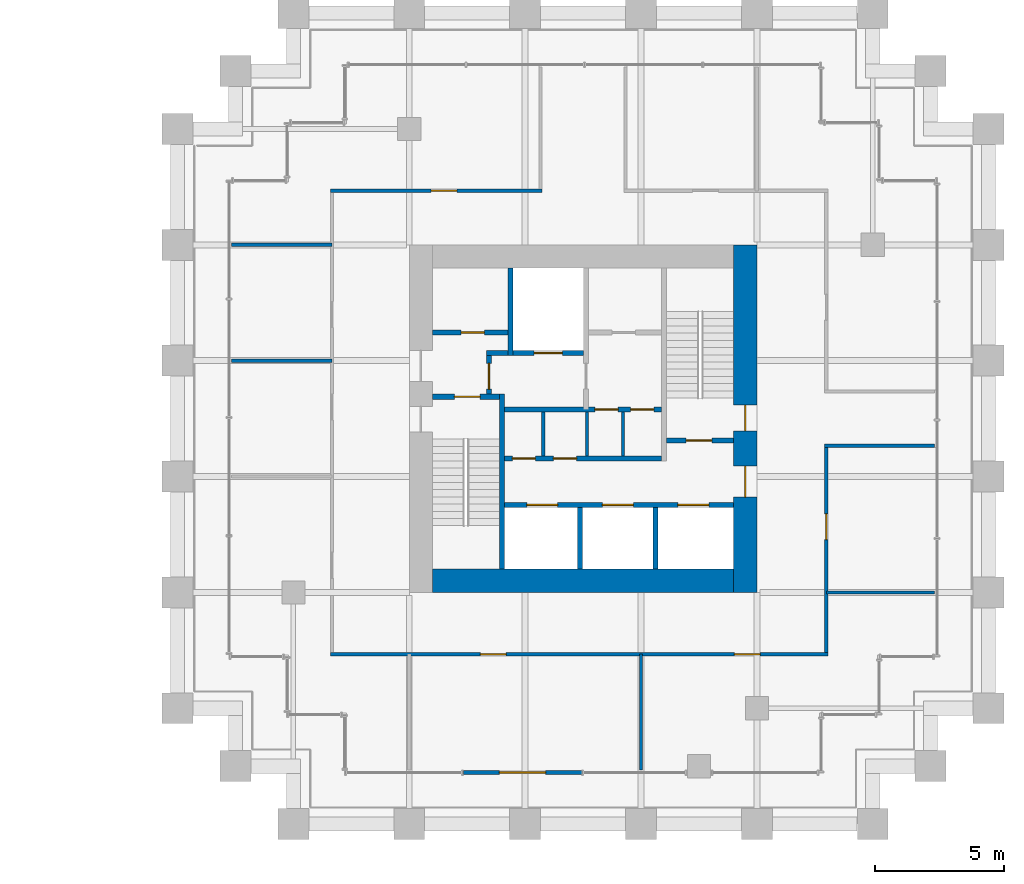
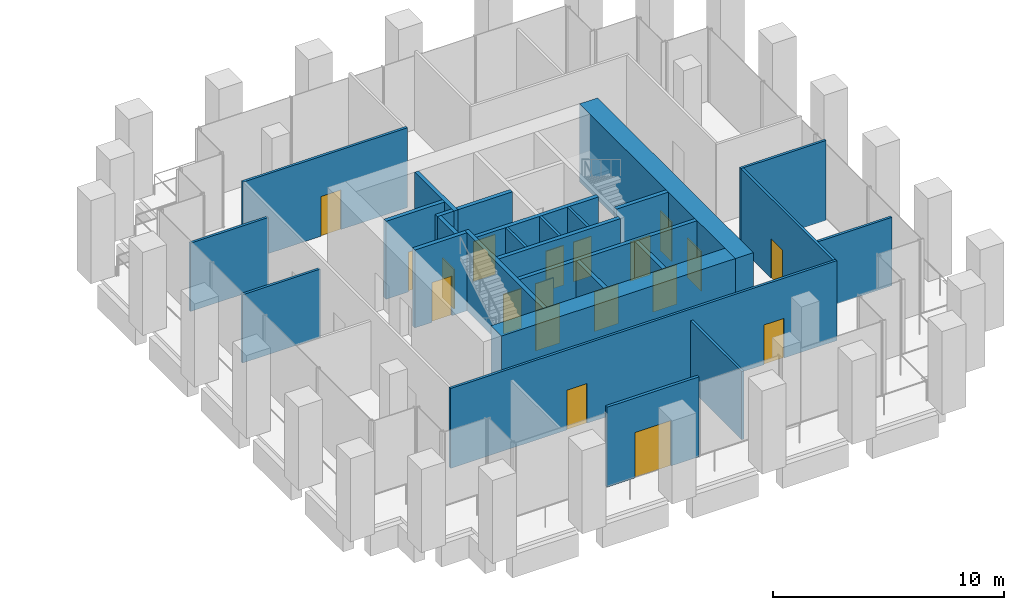
# One storey, part 32 of 36: 27 walls, 19 doors, 19 openings.
"""IFC4 building model written with IfcOpenShell, lengths in metres."""

import ifcopenshell
import ifcopenshell.guid

model = None  # the IFC model being written
_history = None  # IfcOwnerHistory: only IFC2X3 demands one
_inside = {}  # id of a spatial element -> (the spatial element, [elements in it])
_under = {}  # id of a project, library or spatial element -> (it, [spatial elements below it])
_declared = {}  # id of a project -> (the project, [libraries it declares])
_typed = {}  # id of a type object -> (the type object, [elements of that type])
_made_of = {}  # id of a material, layer set ... -> (it, [elements and type objects made of it])


def new_model(schema):
    """Start an empty IFC model of exactly this schema.

    Asked for "IFC4X3", IfcOpenShell would pick the latest addendum, in which some entities
    have other attributes; the version numbers below select the first issue.
    IFC2X3 requires an IfcOwnerHistory on every rooted entity: one is made here for all.
    """
    global model, _history
    if schema == "IFC4X3":
        model = ifcopenshell.file(schema_version=(4, 3, 0, 0))
    else:
        model = ifcopenshell.file(schema=schema)
    _inside.clear()
    _under.clear()
    _declared.clear()
    _typed.clear()
    _made_of.clear()
    _history = None
    if model.schema == "IFC2X3":
        org = make("IfcOrganization", Name="unknown")
        user = make(
            "IfcPersonAndOrganization",
            ThePerson=make("IfcPerson", FamilyName="unknown"),
            TheOrganization=org,
        )
        app = make(
            "IfcApplication",
            ApplicationDeveloper=org,
            Version="unknown",
            ApplicationFullName="unknown",
            ApplicationIdentifier="unknown",
        )
        _history = make(
            "IfcOwnerHistory",
            OwningUser=user,
            OwningApplication=app,
            ChangeAction="ADDED",
            CreationDate=0,
        )
    return model


def make(cls, **values):
    """One entity of the class cls with the attributes given. An attribute that is None is left unset."""
    return model.create_entity(
        cls, **{name: value for name, value in values.items() if value is not None}
    )


def rooted(cls, **values):
    """An entity with a GlobalId (a new one), such as an element, a storey or a relation."""
    return make(cls, GlobalId=ifcopenshell.guid.new(), OwnerHistory=_history, **values)


def si_unit(unit_type, name, prefix=None):
    """IfcSIUnit, for example si_unit("LENGTHUNIT", "METRE", prefix="MILLI")."""
    return make("IfcSIUnit", UnitType=unit_type, Prefix=prefix, Name=name)


def assignment(units):
    """IfcUnitAssignment: the units of a project."""
    return None if units is None else make("IfcUnitAssignment", Units=units)


def point(xyz):
    """IfcCartesianPoint."""
    return None if xyz is None else make("IfcCartesianPoint", Coordinates=xyz)


def direction(xyz):
    """IfcDirection."""
    return None if xyz is None else make("IfcDirection", DirectionRatios=xyz)


def frame(location, z_axis=None, x_axis=None):
    """IfcAxis2Placement3D, a coordinate frame: its origin and axes. An axis left out is left unset."""
    return make(
        "IfcAxis2Placement3D",
        Location=point(location),
        Axis=direction(z_axis),
        RefDirection=direction(x_axis),
    )


def frame_2d(location, x_axis=None):
    """IfcAxis2Placement2D, a coordinate frame in the plane: its origin and x axis."""
    return make(
        "IfcAxis2Placement2D", Location=point(location), RefDirection=direction(x_axis)
    )


def origin():
    """The frame at (0, 0, 0) with its axes left unset."""
    return frame((0.0, 0.0, 0.0))


def place(relative_to, where):
    """IfcLocalPlacement: puts the frame where relative to a parent placement (None: the world)."""
    return make(
        "IfcLocalPlacement", PlacementRelTo=relative_to, RelativePlacement=where
    )


def context(
    kind, dimensions, precision=None, world=None, true_north=None, identifier=None
):
    """IfcGeometricRepresentationContext, for example the 3D "Model" context."""
    return make(
        "IfcGeometricRepresentationContext",
        ContextIdentifier=identifier,
        ContextType=kind,
        CoordinateSpaceDimension=dimensions,
        Precision=precision,
        WorldCoordinateSystem=world,
        TrueNorth=true_north,
    )


def subcontext(parent, identifier, kind, view, scale=None):
    """IfcGeometricRepresentationSubContext, for example "Body" below "Model"."""
    return make(
        "IfcGeometricRepresentationSubContext",
        ContextIdentifier=identifier,
        ContextType=kind,
        ParentContext=parent,
        TargetScale=scale,
        TargetView=view,
    )


def project(units=None, contexts=None):
    """IfcProject with its units and contexts."""
    return rooted(
        "IfcProject",
        Name="project",
        RepresentationContexts=contexts,
        UnitsInContext=assignment(units),
    )


def spatial(cls, under=None, at=None, **own):
    """A site, building, storey or space (cls), placed at a placement, below another one or the project."""
    s = rooted(cls, ObjectPlacement=at, **own)
    if under is not None:
        _under.setdefault(under.id(), (under, []))[1].append(s)
    return s


def profile(cls, at=None, kind="AREA", **sizes):
    """A parametric profile (cls). Its sizes go by their IFC names, for example OverallWidth=200.0."""
    return make(cls, ProfileType=kind, Position=at, **sizes)


def rectangle(**sizes):
    """IfcRectangleProfileDef."""
    return profile("IfcRectangleProfileDef", **sizes)


def extrude(swept, where, along, depth):
    """IfcExtrudedAreaSolid: the profile swept, set in the frame where, extruded along a direction by depth."""
    return make(
        "IfcExtrudedAreaSolid",
        SweptArea=swept,
        Position=where,
        ExtrudedDirection=direction(along),
        Depth=depth,
    )


def shape(context_of_items, identifier, shape_type, items):
    """IfcShapeRepresentation: the items that make up one representation, for example the "Body"."""
    return make(
        "IfcShapeRepresentation",
        ContextOfItems=context_of_items,
        RepresentationIdentifier=identifier,
        RepresentationType=shape_type,
        Items=items,
    )


def material(Name=None, Category=None):
    """IfcMaterial."""
    return make("IfcMaterial", Name=Name, Category=Category)


def layer(
    of_material, thickness, ventilated=None, Name=None, Category=None, Priority=None
):
    """IfcMaterialLayer: one layer of a wall or slab, of a material (None: an air gap)."""
    return make(
        "IfcMaterialLayer",
        Material=of_material,
        LayerThickness=thickness,
        IsVentilated=ventilated,
        Name=Name,
        Category=Category,
        Priority=Priority,
    )


def layer_set(layers, Name=None):
    """IfcMaterialLayerSet."""
    return make("IfcMaterialLayerSet", MaterialLayers=layers, LayerSetName=Name)


def made_of(thing, what):
    """Note that an element or type object is made of a material, layer set ...; save() writes the relation."""
    if what is not None:
        _made_of.setdefault(what.id(), (what, []))[1].append(thing)
    return thing


def type_object(cls, material=None, **own):
    """A type object (cls), such as IfcWallType, which elements share."""
    return made_of(rooted(cls, **own), material)


def element(
    cls,
    number,
    at=None,
    inside=None,
    cuts=None,
    type_object=None,
    material=None,
    context=None,
    identifier="Body",
    shape_type=None,
    held_by="IfcProductDefinitionShape",
    body=None,
    shapes=None,
    **own,
):
    """One element of the class cls, such as IfcWall. Its Tag is "e" and its number.

    at: its placement. inside: the storey or other place that contains it. cuts: it is an
    opening in that element (IfcRelVoidsElement). A single representation is given by context,
    identifier, shape_type and body (its items); several are given by shapes. held_by: the class
    of the entity that holds the representations. save() writes the other relations.
    """
    e = rooted(cls, Tag="e%d" % number, ObjectPlacement=at, **own)
    if body is not None:
        shapes = [shape(context, identifier, shape_type, body)]
    if shapes is not None:
        e.Representation = make(held_by, Representations=shapes)
    if inside is not None:
        _inside.setdefault(inside.id(), (inside, []))[1].append(e)
    if cuts is not None:
        rooted(
            "IfcRelVoidsElement", RelatingBuildingElement=cuts, RelatedOpeningElement=e
        )
    if type_object is not None:
        _typed.setdefault(type_object.id(), (type_object, []))[1].append(e)
    return made_of(e, material)


def fill(opening, filler):
    """IfcRelFillsElement: the door or window that sits in an opening."""
    return rooted(
        "IfcRelFillsElement",
        RelatingOpeningElement=opening,
        RelatedBuildingElement=filler,
    )


def aggregate(whole, parts):
    """IfcRelAggregates: a whole, such as a stair, and the parts it consists of."""
    return rooted("IfcRelAggregates", RelatingObject=whole, RelatedObjects=parts)


def save(model, path):
    """Write the relations noted so far, then the file.

    IfcRelAggregates (storeys below a building ...), IfcRelContainedInSpatialStructure (elements
    in a storey), IfcRelDefinesByType, IfcRelAssociatesMaterial and IfcRelDeclares: one each for
    every whole, place, type object, material and project.
    """
    for whole, parts in _under.values():
        aggregate(whole, parts)
    for where, things in _inside.values():
        rooted(
            "IfcRelContainedInSpatialStructure",
            RelatedElements=things,
            RelatingStructure=where,
        )
    for kind, things in _typed.values():
        rooted("IfcRelDefinesByType", RelatedObjects=things, RelatingType=kind)
    for what, things in _made_of.values():
        rooted("IfcRelAssociatesMaterial", RelatedObjects=things, RelatingMaterial=what)
    for by, libraries in _declared.values():
        rooted("IfcRelDeclares", RelatingContext=by, RelatedDefinitions=libraries)
    model.write(path)


model = new_model("IFC4")

# Units and contexts
model_context = context("Model", 3, precision=1e-05, world=origin(), true_north=direction((0.0, 1.0)))
body_context = subcontext(model_context, "Body", "Model", "MODEL_VIEW")
ifc_project = project(units=[si_unit("LENGTHUNIT", "METRE"), si_unit("AREAUNIT", "SQUARE_METRE"), si_unit("VOLUMEUNIT", "CUBIC_METRE"), si_unit("PLANEANGLEUNIT", "RADIAN"), si_unit("MASSUNIT", "GRAM", prefix="KILO")], contexts=[model_context])

# Site, building, storey
site_placement = place(None, origin())
site = spatial("IfcSite", under=ifc_project, at=site_placement, CompositionType="ELEMENT")
building_placement = place(site_placement, origin())
building = spatial("IfcBuilding", under=site, at=building_placement, Name="Altepetl Exchange Towers", CompositionType="ELEMENT")
storey_placement = place(building_placement, frame((0.0, 0.0, 34.199951171875)))
storey = spatial("IfcBuildingStorey", under=building, at=storey_placement, Name="L07", CompositionType="ELEMENT", Elevation=34.199951171875)

# Wall, openings, doors
ifc_material_1 = material(Name="Concrete C70/85", Category="concrete")
ifc_layer_1 = layer(ifc_material_1, 0.89990234375)
ifc_layer_set_1 = layer_set([ifc_layer_1], Name="Concrete C70/85")
wall_type_1 = type_object("IfcWallType", Name="Core wall 900 reinforced concrete", PredefinedType="SHEAR", material=ifc_layer_set_1)
wall_1_placement = place(storey_placement, frame((116.550048828125, 36.0, 0.0), z_axis=(0.0, 0.0, 1.0), x_axis=(0.0, 1.0, 0.0)))
wall_1 = element("IfcWall", 1, at=wall_1_placement, inside=storey, type_object=wall_type_1, Name="wall:B:L07:K-coreE", PredefinedType="SHEAR", context=body_context, shape_type="SweptSolid", body=[
    extrude(rectangle(XDim=13.5, YDim=0.89990234375, at=frame_2d((6.75, 0.0))), origin(), (0.0, 0.0, 1.0), 4.125),
])
opening_1_placement = place(wall_1_placement, frame((3.699951171875, 0.0, 0.0)))
opening_1 = element("IfcOpeningElement", 2, at=opening_1_placement, cuts=wall_1, Name="Opening L07.B61", PredefinedType="OPENING", context=body_context, shape_type="SweptSolid", body=[
    extrude(rectangle(XDim=1.199951171875, YDim=2.10009765625, at=frame_2d((0.60009765625, 1.050048828125))), frame((0.0, 0.4599609375, 0.0), z_axis=(0.0, -1.0, 0.0), x_axis=(1.0, 0.0, 0.0)), (0.0, 0.0, 1.0), 0.919921875),
])
opening_2_placement = place(wall_1_placement, frame((6.27490234375, 0.0, 0.0)))
opening_2 = element("IfcOpeningElement", 3, at=opening_2_placement, cuts=wall_1, Name="Opening L07.B65", PredefinedType="OPENING", context=body_context, shape_type="SweptSolid", body=[
    extrude(rectangle(XDim=1.0, YDim=2.10009765625, at=frame_2d((0.5, 1.050048828125))), frame((0.0, 0.4599609375, 0.0), z_axis=(0.0, -1.0, 0.0), x_axis=(1.0, 0.0, 0.0)), (0.0, 0.0, 1.0), 0.919921875),
])
ifc_material_2 = material(Name="Steel and timber fire door", Category="steel")
door_type_1 = type_object("IfcDoorType", Name="Fire door 1000 x 2100 stair and lobby", OperationType="SINGLE_SWING_LEFT", PredefinedType="DOOR", material=ifc_material_2)
door_1_placement = place(opening_2_placement, origin())
door_1 = element("IfcDoor", 4, at=door_1_placement, inside=storey, type_object=door_type_1, Name="door:B:L07:K-dS2x", OperationType="SINGLE_SWING_LEFT", OverallHeight=2.10009765625, OverallWidth=1.0, PredefinedType="DOOR", context=body_context, shape_type="SweptSolid", body=[
    extrude(rectangle(XDim=1.0, YDim=2.10009765625, at=frame_2d((0.5, 1.050048828125))), frame((0.0, 0.02490234375, 0.0), z_axis=(0.0, -1.0, 0.0), x_axis=(1.0, 0.0, 0.0)), (0.0, 0.0, 1.0), 0.050048828125),
])
fill(opening_2, door_1)
door_type_2 = type_object("IfcDoorType", Name="Fire door 1200 x 2100 lobby entry", OperationType="SINGLE_SWING_LEFT", PredefinedType="DOOR", material=ifc_material_2)
door_2_placement = place(opening_1_placement, origin())
door_2 = element("IfcDoor", 5, at=door_2_placement, inside=storey, type_object=door_type_2, Name="door:B:L07:K-dLSE", OperationType="SINGLE_SWING_RIGHT", OverallHeight=2.10009765625, OverallWidth=1.199951171875, PredefinedType="DOOR", context=body_context, shape_type="SweptSolid", body=[
    extrude(rectangle(XDim=1.199951171875, YDim=2.10009765625, at=frame_2d((0.60009765625, 1.050048828125))), frame((0.0, 0.02490234375, 0.0), z_axis=(0.0, -1.0, 0.0), x_axis=(1.0, 0.0, 0.0)), (0.0, 0.0, 1.0), 0.050048828125),
])
fill(opening_1, door_2)

# Wall
wall_2_placement = place(storey_placement, frame((104.39990234375, 36.449951171875, 0.0)))
element("IfcWall", 6, at=wall_2_placement, inside=storey, type_object=wall_type_1, Name="wall:B:L07:K-coreS", PredefinedType="SHEAR", context=body_context, shape_type="SweptSolid", body=[
    extrude(rectangle(XDim=11.7001953125, YDim=0.89990234375, at=frame_2d((5.85009765625, 0.0))), origin(), (0.0, 0.0, 1.0), 4.125),
])

# Wall, opening, door
ifc_material_3 = material(Name="Aluminium composite cladding", Category="aluminium")
ifc_layer_2 = layer(ifc_material_3, 0.14990234375)
ifc_layer_set_2 = layer_set([ifc_layer_2], Name="Aluminium composite cladding")
wall_type_2 = type_object("IfcWallType", Name="Infill wall 150 aluminium panel", PredefinedType="SOLIDWALL", material=ifc_layer_set_2)
wall_3_placement = place(storey_placement, frame((105.60009765625, 29.0, 0.0)))
wall_3 = element("IfcWall", 7, at=wall_3_placement, inside=storey, type_object=wall_type_2, Name="Loggia door bay wall", PredefinedType="SOLIDWALL", context=body_context, shape_type="SweptSolid", body=[
    extrude(rectangle(XDim=4.599853515625, YDim=0.14990234375, at=frame_2d((2.2998046875, 0.0))), origin(), (0.0, 0.0, 1.0), 4.22509765625),
])
opening_3_placement = place(wall_3_placement, frame((1.39990234375, 0.0, 0.0)))
opening_3 = element("IfcOpeningElement", 8, at=opening_3_placement, cuts=wall_3, Name="Opening L07.B90", PredefinedType="OPENING", context=body_context, shape_type="SweptSolid", body=[
    extrude(rectangle(XDim=1.800048828125, YDim=2.39990234375, at=frame_2d((0.89990234375, 1.199951171875))), frame((0.0, 0.0849609375, 0.0), z_axis=(0.0, -1.0, 0.0), x_axis=(1.0, 0.0, 0.0)), (0.0, 0.0, 1.0), 0.169921875),
])
ifc_material_4 = material(Name="Aluminium 6063-T6 and glass", Category="aluminium")
door_type_3 = type_object("IfcDoorType", Name="Glazed door pair 1800x2400", OperationType="DOUBLE_DOOR_DOUBLE_SWING", PredefinedType="NOTDEFINED", material=ifc_material_4)
door_3_placement = place(opening_3_placement, frame((1.800048828125, 0.0, 0.0), x_axis=(-1.0, 0.0, 0.0)))
door_3 = element("IfcDoor", 9, at=door_3_placement, inside=storey, type_object=door_type_3, Name="Loggia door", OperationType="DOUBLE_DOOR_DOUBLE_SWING", OverallHeight=2.39990234375, OverallWidth=1.800048828125, PredefinedType="NOTDEFINED", context=body_context, shape_type="SweptSolid", body=[
    extrude(rectangle(XDim=1.800048828125, YDim=2.39990234375, at=frame_2d((0.89990234375, 1.199951171875))), frame((0.0, 0.02490234375, 0.0), z_axis=(0.0, -1.0, 0.0), x_axis=(1.0, 0.0, 0.0)), (0.0, 0.0, 1.0), 0.050048828125),
])
fill(opening_3, door_3)

# Wall
ifc_material_5 = material(Name="Concrete blockwork", Category="masonry")
ifc_layer_3 = layer(ifc_material_5, 0.199951171875)
ifc_layer_set_3 = layer_set([ifc_layer_3], Name="Concrete blockwork")
wall_type_3 = type_object("IfcWallType", Name="Lobby wall 200 blockwork", PredefinedType="PARTITIONING", material=ifc_layer_set_3)
wall_4_placement = place(storey_placement, frame((106.5, 45.300048828125, 0.0)))
element("IfcWall", 10, at=wall_4_placement, inside=storey, type_object=wall_type_3, Name="wall:B:L07:K-ffNw", PredefinedType="PARTITIONING", context=body_context, shape_type="SweptSolid", body=[
    extrude(rectangle(XDim=0.833251953125, YDim=0.199951171875, at=frame_2d((0.41650390625, 0.0))), origin(), (0.0, 0.0, 1.0), 4.125),
])

# Wall, opening, door
wall_5_placement = place(storey_placement, frame((106.60009765625, 43.699951171875, 0.0), z_axis=(0.0, 0.0, 1.0), x_axis=(0.0, 1.0, 0.0)))
wall_5 = element("IfcWall", 11, at=wall_5_placement, inside=storey, type_object=wall_type_3, Name="wall:B:L07:K-ffW", PredefinedType="PARTITIONING", context=body_context, shape_type="SweptSolid", body=[
    extrude(rectangle(XDim=1.5, YDim=0.199951171875, at=frame_2d((0.75, 0.0))), origin(), (0.0, 0.0, 1.0), 4.125),
])
opening_4_placement = place(wall_5_placement, frame((0.199951171875, 0.0, 0.0)))
opening_4 = element("IfcOpeningElement", 12, at=opening_4_placement, cuts=wall_5, Name="Opening L07.B67", PredefinedType="OPENING", context=body_context, shape_type="SweptSolid", body=[
    extrude(rectangle(XDim=1.0, YDim=2.10009765625, at=frame_2d((0.5, 1.050048828125))), frame((0.0, 0.10986328125, 0.0), z_axis=(0.0, -1.0, 0.0), x_axis=(1.0, 0.0, 0.0)), (0.0, 0.0, 1.0), 0.219970703125),
])
door_4_placement = place(opening_4_placement, frame((1.0, 0.0, 0.0), x_axis=(-1.0, 0.0, 0.0)))
door_4 = element("IfcDoor", 13, at=door_4_placement, inside=storey, type_object=door_type_1, Name="door:B:L07:K-dffW", OperationType="SINGLE_SWING_LEFT", OverallHeight=2.10009765625, OverallWidth=1.0, PredefinedType="DOOR", context=body_context, shape_type="SweptSolid", body=[
    extrude(rectangle(XDim=1.0, YDim=2.10009765625, at=frame_2d((0.5, 1.050048828125))), frame((0.0, 0.02490234375, 0.0), z_axis=(0.0, -1.0, 0.0), x_axis=(1.0, 0.0, 0.0)), (0.0, 0.0, 1.0), 0.050048828125),
])
fill(opening_4, door_4)

# Wall, openings, doors
wall_6_placement = place(storey_placement, frame((107.199951171875, 43.10009765625, 0.0)))
wall_6 = element("IfcWall", 14, at=wall_6_placement, inside=storey, type_object=wall_type_3, Name="wall:B:L07:K-zoneN", PredefinedType="PARTITIONING", context=body_context, shape_type="SweptSolid", body=[
    extrude(rectangle(XDim=6.10009765625, YDim=0.199951171875, at=frame_2d((3.050048828125, 0.0))), origin(), (0.0, 0.0, 1.0), 4.125),
])
opening_5_placement = place(wall_6_placement, frame((3.508544921875, 0.0, 0.0)))
opening_5 = element("IfcOpeningElement", 15, at=opening_5_placement, cuts=wall_6, Name="Opening L07.B72", PredefinedType="OPENING", context=body_context, shape_type="SweptSolid", body=[
    extrude(rectangle(XDim=0.89990234375, YDim=2.10009765625, at=frame_2d((0.449951171875, 1.050048828125))), frame((0.0, 0.10986328125, 0.0), z_axis=(0.0, -1.0, 0.0), x_axis=(1.0, 0.0, 0.0)), (0.0, 0.0, 1.0), 0.219970703125),
])
opening_6_placement = place(wall_6_placement, frame((4.89990234375, 0.0, 0.0)))
opening_6 = element("IfcOpeningElement", 16, at=opening_6_placement, cuts=wall_6, Name="Opening L07.B73", PredefinedType="OPENING", context=body_context, shape_type="SweptSolid", body=[
    extrude(rectangle(XDim=0.89990234375, YDim=2.10009765625, at=frame_2d((0.449951171875, 1.050048828125))), frame((0.0, 0.10986328125, 0.0), z_axis=(0.0, -1.0, 0.0), x_axis=(1.0, 0.0, 0.0)), (0.0, 0.0, 1.0), 0.219970703125),
])
door_type_4 = type_object("IfcDoorType", Name="Fire door 900 x 2100 service room", OperationType="SINGLE_SWING_LEFT", PredefinedType="DOOR", material=ifc_material_2)
door_5_placement = place(opening_5_placement, frame((0.89990234375, 0.0, 0.0), x_axis=(-1.0, 0.0, 0.0)))
door_5 = element("IfcDoor", 17, at=door_5_placement, inside=storey, type_object=door_type_4, Name="door:B:L07:K-dz3", OperationType="SINGLE_SWING_RIGHT", OverallHeight=2.10009765625, OverallWidth=0.89990234375, PredefinedType="DOOR", context=body_context, shape_type="SweptSolid", body=[
    extrude(rectangle(XDim=0.89990234375, YDim=2.10009765625, at=frame_2d((0.449951171875, 1.050048828125))), frame((0.0, 0.02490234375, 0.0), z_axis=(0.0, -1.0, 0.0), x_axis=(1.0, 0.0, 0.0)), (0.0, 0.0, 1.0), 0.050048828125),
])
fill(opening_5, door_5)
door_6_placement = place(opening_6_placement, frame((0.89990234375, 0.0, 0.0), x_axis=(-1.0, 0.0, 0.0)))
door_6 = element("IfcDoor", 18, at=door_6_placement, inside=storey, type_object=door_type_4, Name="door:B:L07:K-dz4", OperationType="SINGLE_SWING_RIGHT", OverallHeight=2.10009765625, OverallWidth=0.89990234375, PredefinedType="DOOR", context=body_context, shape_type="SweptSolid", body=[
    extrude(rectangle(XDim=0.89990234375, YDim=2.10009765625, at=frame_2d((0.449951171875, 1.050048828125))), frame((0.0, 0.02490234375, 0.0), z_axis=(0.0, -1.0, 0.0), x_axis=(1.0, 0.0, 0.0)), (0.0, 0.0, 1.0), 0.050048828125),
])
fill(opening_6, door_6)

wall_7_placement = place(storey_placement, frame((107.199951171875, 41.199951171875, 0.0)))
wall_7 = element("IfcWall", 19, at=wall_7_placement, inside=storey, type_object=wall_type_3, Name="wall:B:L07:K-zoneS", PredefinedType="PARTITIONING", context=body_context, shape_type="SweptSolid", body=[
    extrude(rectangle(XDim=6.10009765625, YDim=0.199951171875, at=frame_2d((3.050048828125, 0.0))), origin(), (0.0, 0.0, 1.0), 4.125),
])
opening_7_placement = place(wall_7_placement, frame((0.300048828125, 0.0, 0.0)))
opening_7 = element("IfcOpeningElement", 20, at=opening_7_placement, cuts=wall_7, Name="Opening L07.B70", PredefinedType="OPENING", context=body_context, shape_type="SweptSolid", body=[
    extrude(rectangle(XDim=0.89990234375, YDim=2.10009765625, at=frame_2d((0.449951171875, 1.050048828125))), frame((0.0, 0.10986328125, 0.0), z_axis=(0.0, -1.0, 0.0), x_axis=(1.0, 0.0, 0.0)), (0.0, 0.0, 1.0), 0.219970703125),
])
opening_8_placement = place(wall_7_placement, frame((1.89990234375, 0.0, 0.0)))
opening_8 = element("IfcOpeningElement", 21, at=opening_8_placement, cuts=wall_7, Name="Opening L07.B71", PredefinedType="OPENING", context=body_context, shape_type="SweptSolid", body=[
    extrude(rectangle(XDim=0.89990234375, YDim=2.10009765625, at=frame_2d((0.449951171875, 1.050048828125))), frame((0.0, 0.10986328125, 0.0), z_axis=(0.0, -1.0, 0.0), x_axis=(1.0, 0.0, 0.0)), (0.0, 0.0, 1.0), 0.219970703125),
])
door_7_placement = place(opening_7_placement, origin())
door_7 = element("IfcDoor", 22, at=door_7_placement, inside=storey, type_object=door_type_4, Name="door:B:L07:K-dz1", OperationType="SINGLE_SWING_RIGHT", OverallHeight=2.10009765625, OverallWidth=0.89990234375, PredefinedType="DOOR", context=body_context, shape_type="SweptSolid", body=[
    extrude(rectangle(XDim=0.89990234375, YDim=2.10009765625, at=frame_2d((0.449951171875, 1.050048828125))), frame((0.0, 0.02490234375, 0.0), z_axis=(0.0, -1.0, 0.0), x_axis=(1.0, 0.0, 0.0)), (0.0, 0.0, 1.0), 0.050048828125),
])
fill(opening_7, door_7)
door_8_placement = place(opening_8_placement, origin())
door_8 = element("IfcDoor", 23, at=door_8_placement, inside=storey, type_object=door_type_4, Name="door:B:L07:K-dz2", OperationType="SINGLE_SWING_RIGHT", OverallHeight=2.10009765625, OverallWidth=0.89990234375, PredefinedType="DOOR", context=body_context, shape_type="SweptSolid", body=[
    extrude(rectangle(XDim=0.89990234375, YDim=2.10009765625, at=frame_2d((0.449951171875, 1.050048828125))), frame((0.0, 0.02490234375, 0.0), z_axis=(0.0, -1.0, 0.0), x_axis=(1.0, 0.0, 0.0)), (0.0, 0.0, 1.0), 0.050048828125),
])
fill(opening_8, door_8)

# Walls
ifc_material_6 = material(Name="Gypsum board on steel studs", Category="steel")
ifc_layer_4 = layer(ifc_material_6, 0.125)
ifc_layer_set_4 = layer_set([ifc_layer_4], Name="Gypsum board on steel studs")
wall_type_4 = type_object("IfcWallType", Name="Partition 125 gypsum board on steel studs", PredefinedType="PARTITIONING", material=ifc_layer_set_4)
for number, where, z_axis, x_axis, name in (
    (24, (108.699951171875, 41.300048828125, 0.0), (0.0, 0.0, 1.0), (0.0, 1.0, 0.0), "wall:B:L07:K-zp1"),
    (25, (110.39990234375, 41.300048828125, 0.0), (0.0, 0.0, 1.0), (0.0, 1.0, 0.0), "wall:B:L07:K-zp2"),
    (26, (111.800048828125, 41.300048828125, 0.0), (0.0, 0.0, 1.0), (0.0, 1.0, 0.0), "wall:B:L07:K-zp3"),
):
    element("IfcWall", number, at=place(storey_placement, frame(where, z_axis=z_axis, x_axis=x_axis)), inside=storey, type_object=wall_type_4, Name=name, PredefinedType="PARTITIONING", context=body_context, shape_type="SweptSolid", body=[
        extrude(rectangle(XDim=1.699951171875, YDim=0.125, at=frame_2d((0.85009765625, 0.0))), origin(), (0.0, 0.0, 1.0), 4.125),
    ])

# Wall, openings, doors
wall_8_placement = place(storey_placement, frame((100.4375, 33.60009765625, 0.0)))
wall_8 = element("IfcWall", 27, at=wall_8_placement, inside=storey, type_object=wall_type_4, Name="wall:B:L07:P01", PredefinedType="PARTITIONING", context=body_context, shape_type="SweptSolid", body=[
    extrude(rectangle(XDim=19.324951171875, YDim=0.125, at=frame_2d((9.66259765625, 0.0))), origin(), (0.0, 0.0, 1.0), 4.22509765625),
])
opening_9_placement = place(wall_8_placement, frame((5.819580078125, 0.0, 0.0)))
opening_9 = element("IfcOpeningElement", 28, at=opening_9_placement, cuts=wall_8, Name="Opening L07.B02", PredefinedType="OPENING", context=body_context, shape_type="SweptSolid", body=[
    extrude(rectangle(XDim=1.0, YDim=2.10009765625, at=frame_2d((0.5, 1.050048828125))), frame((0.0, 0.072509765625, 0.0), z_axis=(0.0, -1.0, 0.0), x_axis=(1.0, 0.0, 0.0)), (0.0, 0.0, 1.0), 0.14501953125),
])
opening_10_placement = place(wall_8_placement, frame((15.685546875, 0.0, 0.0)))
opening_10 = element("IfcOpeningElement", 29, at=opening_10_placement, cuts=wall_8, Name="Opening L07.B03", PredefinedType="OPENING", context=body_context, shape_type="SweptSolid", body=[
    extrude(rectangle(XDim=1.0, YDim=2.10009765625, at=frame_2d((0.5, 1.050048828125))), frame((0.0, 0.072509765625, 0.0), z_axis=(0.0, -1.0, 0.0), x_axis=(1.0, 0.0, 0.0)), (0.0, 0.0, 1.0), 0.14501953125),
])
door_type_5 = type_object("IfcDoorType", Name="Fire door 1000 x 2100 single leaf", OperationType="SINGLE_SWING_LEFT", PredefinedType="DOOR", material=ifc_material_2)
door_9_placement = place(opening_9_placement, frame((1.0, 0.0, 0.0), x_axis=(-1.0, 0.0, 0.0)))
door_9 = element("IfcDoor", 30, at=door_9_placement, inside=storey, type_object=door_type_5, Name="door:B:L07:02", OperationType="SINGLE_SWING_RIGHT", OverallHeight=2.10009765625, OverallWidth=1.0, PredefinedType="DOOR", context=body_context, shape_type="SweptSolid", body=[
    extrude(rectangle(XDim=1.0, YDim=2.10009765625, at=frame_2d((0.5, 1.050048828125))), frame((0.0, 0.02490234375, 0.0), z_axis=(0.0, -1.0, 0.0), x_axis=(1.0, 0.0, 0.0)), (0.0, 0.0, 1.0), 0.050048828125),
])
fill(opening_9, door_9)
door_10_placement = place(opening_10_placement, frame((1.0, 0.0, 0.0), x_axis=(-1.0, 0.0, 0.0)))
door_10 = element("IfcDoor", 31, at=door_10_placement, inside=storey, type_object=door_type_5, Name="door:B:L07:03", OperationType="SINGLE_SWING_RIGHT", OverallHeight=2.10009765625, OverallWidth=1.0, PredefinedType="DOOR", context=body_context, shape_type="SweptSolid", body=[
    extrude(rectangle(XDim=1.0, YDim=2.10009765625, at=frame_2d((0.5, 1.050048828125))), frame((0.0, 0.02490234375, 0.0), z_axis=(0.0, -1.0, 0.0), x_axis=(1.0, 0.0, 0.0)), (0.0, 0.0, 1.0), 0.050048828125),
])
fill(opening_10, door_10)

# Walls
wall_9_placement = place(storey_placement, frame((119.699951171875, 36.0, 0.0)))
element("IfcWall", 32, at=wall_9_placement, inside=storey, type_object=wall_type_4, Name="wall:B:L07:P02", PredefinedType="PARTITIONING", context=body_context, shape_type="SweptSolid", body=[
    extrude(rectangle(XDim=4.199951171875, YDim=0.125, at=frame_2d((2.10009765625, 0.0))), origin(), (0.0, 0.0, 1.0), 3.613037109375),
])
wall_10_placement = place(storey_placement, frame((119.637451171875, 41.699951171875, 0.0)))
element("IfcWall", 33, at=wall_10_placement, inside=storey, type_object=wall_type_4, Name="wall:B:L07:P04", PredefinedType="PARTITIONING", context=body_context, shape_type="SweptSolid", body=[
    extrude(rectangle(XDim=4.262451171875, YDim=0.125, at=frame_2d((2.13134765625, 0.0))), origin(), (0.0, 0.0, 1.0), 4.22509765625),
])
for number, where, name in (
    (34, (96.60009765625, 45.0, 0.0), "wall:B:L07:P06"),
    (35, (96.60009765625, 49.5, 0.0), "wall:B:L07:P07"),
):
    element("IfcWall", number, at=place(storey_placement, frame(where)), inside=storey, type_object=wall_type_4, Name=name, PredefinedType="PARTITIONING", context=body_context, shape_type="SweptSolid", body=[
        extrude(rectangle(XDim=3.89990234375, YDim=0.125, at=frame_2d((1.949951171875, 0.0))), origin(), (0.0, 0.0, 1.0), 3.613037109375),
    ])

# Wall, opening, door
wall_11_placement = place(storey_placement, frame((100.4375, 51.60009765625, 0.0)))
wall_11 = element("IfcWall", 36, at=wall_11_placement, inside=storey, type_object=wall_type_4, Name="wall:B:L07:P08", PredefinedType="PARTITIONING", context=body_context, shape_type="SweptSolid", body=[
    extrude(rectangle(XDim=8.22509765625, YDim=0.125, at=frame_2d((4.112548828125, 0.0))), origin(), (0.0, 0.0, 1.0), 4.22509765625),
])
opening_11_placement = place(wall_11_placement, frame((3.91259765625, 0.0, 0.0)))
opening_11 = element("IfcOpeningElement", 37, at=opening_11_placement, cuts=wall_11, Name="Opening L07.B07", PredefinedType="OPENING", context=body_context, shape_type="SweptSolid", body=[
    extrude(rectangle(XDim=1.0, YDim=2.10009765625, at=frame_2d((0.5, 1.050048828125))), frame((0.0, 0.072509765625, 0.0), z_axis=(0.0, -1.0, 0.0), x_axis=(1.0, 0.0, 0.0)), (0.0, 0.0, 1.0), 0.14501953125),
])
door_11_placement = place(opening_11_placement, origin())
door_11 = element("IfcDoor", 38, at=door_11_placement, inside=storey, type_object=door_type_5, Name="door:B:L07:07", OperationType="SINGLE_SWING_RIGHT", OverallHeight=2.10009765625, OverallWidth=1.0, PredefinedType="DOOR", context=body_context, shape_type="SweptSolid", body=[
    extrude(rectangle(XDim=1.0, YDim=2.10009765625, at=frame_2d((0.5, 1.050048828125))), frame((0.0, 0.02490234375, 0.0), z_axis=(0.0, -1.0, 0.0), x_axis=(1.0, 0.0, 0.0)), (0.0, 0.0, 1.0), 0.050048828125),
])
fill(opening_11, door_11)

# Wall
wall_12_placement = place(storey_placement, frame((112.5, 29.10009765625, 0.0), z_axis=(0.0, 0.0, 1.0), x_axis=(0.0, 1.0, 0.0)))
element("IfcWall", 39, at=wall_12_placement, inside=storey, type_object=wall_type_4, Name="wall:B:L07:P14", PredefinedType="PARTITIONING", context=body_context, shape_type="SweptSolid", body=[
    extrude(rectangle(XDim=4.5, YDim=0.125, at=frame_2d((2.25, 0.0))), origin(), (0.0, 0.0, 1.0), 3.613037109375),
])

# Wall, opening, door
wall_13_placement = place(storey_placement, frame((119.699951171875, 33.66259765625, 0.0), z_axis=(0.0, 0.0, 1.0), x_axis=(0.0, 1.0, 0.0)))
wall_13 = element("IfcWall", 40, at=wall_13_placement, inside=storey, type_object=wall_type_4, Name="wall:B:L07:P16", PredefinedType="PARTITIONING", context=body_context, shape_type="SweptSolid", body=[
    extrude(rectangle(XDim=7.974853515625, YDim=0.125, at=frame_2d((3.9873046875, 0.0))), origin(), (0.0, 0.0, 1.0), 4.22509765625),
])
opening_12_placement = place(wall_13_placement, frame((4.387451171875, 0.0, 0.0)))
opening_12 = element("IfcOpeningElement", 41, at=opening_12_placement, cuts=wall_13, Name="Opening L07.B04", PredefinedType="OPENING", context=body_context, shape_type="SweptSolid", body=[
    extrude(rectangle(XDim=1.0, YDim=2.10009765625, at=frame_2d((0.5, 1.050048828125))), frame((0.0, 0.072509765625, 0.0), z_axis=(0.0, -1.0, 0.0), x_axis=(1.0, 0.0, 0.0)), (0.0, 0.0, 1.0), 0.14501953125),
])
door_12_placement = place(opening_12_placement, frame((1.0, 0.0, 0.0), x_axis=(-1.0, 0.0, 0.0)))
door_12 = element("IfcDoor", 42, at=door_12_placement, inside=storey, type_object=door_type_5, Name="door:B:L07:04", OperationType="SINGLE_SWING_RIGHT", OverallHeight=2.10009765625, OverallWidth=1.0, PredefinedType="DOOR", context=body_context, shape_type="SweptSolid", body=[
    extrude(rectangle(XDim=1.0, YDim=2.10009765625, at=frame_2d((0.5, 1.050048828125))), frame((0.0, 0.02490234375, 0.0), z_axis=(0.0, -1.0, 0.0), x_axis=(1.0, 0.0, 0.0)), (0.0, 0.0, 1.0), 0.050048828125),
])
fill(opening_12, door_12)

# Walls
ifc_material_7 = material(Name="Concrete C40/50", Category="concrete")
ifc_layer_5 = layer(ifc_material_7, 0.199951171875)
ifc_layer_set_5 = layer_set([ifc_layer_5], Name="Concrete C40/50")
wall_type_5 = type_object("IfcWallType", Name="Shaft wall 200 reinforced concrete", PredefinedType="SHEAR", material=ifc_layer_set_5)
wall_14_placement = place(storey_placement, frame((107.433349609375, 48.60009765625, 0.0), z_axis=(0.0, 0.0, 1.0), x_axis=(0.0, -1.0, 0.0)))
element("IfcWall", 43, at=wall_14_placement, inside=storey, type_object=wall_type_5, Name="wall:B:L07:K-divN1", PredefinedType="SHEAR", context=body_context, shape_type="SweptSolid", body=[
    extrude(rectangle(XDim=3.400146484375, YDim=0.199951171875, at=frame_2d((1.7001953125, 0.0))), origin(), (0.0, 0.0, 1.0), 4.125),
])
for number, where, z_axis, x_axis, name in (
    (44, (110.13330078125, 36.89990234375, 0.0), (0.0, 0.0, 1.0), (0.0, 1.0, 0.0), "wall:B:L07:K-divS1"),
    (45, (113.066650390625, 36.89990234375, 0.0), (0.0, 0.0, 1.0), (0.0, 1.0, 0.0), "wall:B:L07:K-divS2"),
):
    element("IfcWall", number, at=place(storey_placement, frame(where, z_axis=z_axis, x_axis=x_axis)), inside=storey, type_object=wall_type_5, Name=name, PredefinedType="SHEAR", context=body_context, shape_type="SweptSolid", body=[
        extrude(rectangle(XDim=2.400146484375, YDim=0.199951171875, at=frame_2d((1.2001953125, 0.0))), origin(), (0.0, 0.0, 1.0), 4.125),
    ])

# Wall, opening, door
wall_15_placement = place(storey_placement, frame((104.39990234375, 46.10009765625, 0.0)))
wall_15 = element("IfcWall", 46, at=wall_15_placement, inside=storey, type_object=wall_type_5, Name="wall:B:L07:K-frontNa", PredefinedType="SHEAR", context=body_context, shape_type="SweptSolid", body=[
    extrude(rectangle(XDim=2.933349609375, YDim=0.199951171875, at=frame_2d((1.466796875, 0.0))), origin(), (0.0, 0.0, 1.0), 4.125),
])
opening_13_placement = place(wall_15_placement, frame((1.11669921875, 0.0, 0.0)))
opening_13 = element("IfcOpeningElement", 47, at=opening_13_placement, cuts=wall_15, Name="Opening L07.B68", PredefinedType="OPENING", context=body_context, shape_type="SweptSolid", body=[
    extrude(rectangle(XDim=0.89990234375, YDim=2.10009765625, at=frame_2d((0.449951171875, 1.050048828125))), frame((0.0, 0.10986328125, 0.0), z_axis=(0.0, -1.0, 0.0), x_axis=(1.0, 0.0, 0.0)), (0.0, 0.0, 1.0), 0.219970703125),
])
door_13_placement = place(opening_13_placement, origin())
door_13 = element("IfcDoor", 48, at=door_13_placement, inside=storey, type_object=door_type_4, Name="door:B:L07:K-dslotN0", OperationType="SINGLE_SWING_RIGHT", OverallHeight=2.10009765625, OverallWidth=0.89990234375, PredefinedType="DOOR", context=body_context, shape_type="SweptSolid", body=[
    extrude(rectangle(XDim=0.89990234375, YDim=2.10009765625, at=frame_2d((0.449951171875, 1.050048828125))), frame((0.0, 0.02490234375, 0.0), z_axis=(0.0, -1.0, 0.0), x_axis=(1.0, 0.0, 0.0)), (0.0, 0.0, 1.0), 0.050048828125),
])
fill(opening_13, door_13)

wall_16_placement = place(storey_placement, frame((107.533203125, 45.300048828125, 0.0)))
wall_16 = element("IfcWall", 49, at=wall_16_placement, inside=storey, type_object=wall_type_5, Name="wall:B:L07:K-frontNd", PredefinedType="SHEAR", context=body_context, shape_type="SweptSolid", body=[
    extrude(rectangle(XDim=2.7333984375, YDim=0.199951171875, at=frame_2d((1.36669921875, 0.0))), origin(), (0.0, 0.0, 1.0), 4.125),
])
opening_14_placement = place(wall_16_placement, frame((0.816650390625, 0.0, 0.0)))
opening_14 = element("IfcOpeningElement", 50, at=opening_14_placement, cuts=wall_16, Name="Opening L07.B74", PredefinedType="OPENING", context=body_context, shape_type="SweptSolid", body=[
    extrude(rectangle(XDim=1.10009765625, YDim=2.10009765625, at=frame_2d((0.550048828125, 1.050048828125))), frame((0.0, 0.10986328125, 0.0), z_axis=(0.0, -1.0, 0.0), x_axis=(1.0, 0.0, 0.0)), (0.0, 0.0, 1.0), 0.219970703125),
])
ifc_material_8 = material(Name="Stainless steel", Category="steel")
door_type_6 = type_object("IfcDoorType", Name="Lift landing door 1100 x 2100", OperationType="SLIDING_TO_LEFT", PredefinedType="DOOR", material=ifc_material_8)
door_14_placement = place(opening_14_placement, origin())
door_14 = element("IfcDoor", 51, at=door_14_placement, inside=storey, type_object=door_type_6, Name="Landing door FFL1", OperationType="SLIDING_TO_LEFT", OverallHeight=2.10009765625, OverallWidth=1.10009765625, PredefinedType="DOOR", context=body_context, shape_type="SweptSolid", body=[
    extrude(rectangle(XDim=1.10009765625, YDim=2.10009765625, at=frame_2d((0.550048828125, 1.050048828125))), frame((0.0, 0.02490234375, 0.0), z_axis=(0.0, -1.0, 0.0), x_axis=(1.0, 0.0, 0.0)), (0.0, 0.0, 1.0), 0.050048828125),
])
fill(opening_14, door_14)

# Wall, openings, doors
wall_17_placement = place(storey_placement, frame((107.199951171875, 39.39990234375, 0.0)))
wall_17 = element("IfcWall", 52, at=wall_17_placement, inside=storey, type_object=wall_type_5, Name="wall:B:L07:K-frontS", PredefinedType="SHEAR", context=body_context, shape_type="SweptSolid", body=[
    extrude(rectangle(XDim=8.900146484375, YDim=0.199951171875, at=frame_2d((4.4501953125, 0.0))), origin(), (0.0, 0.0, 1.0), 4.125),
])
opening_15_placement = place(wall_17_placement, frame((0.86669921875, 0.0, 0.0)))
opening_15 = element("IfcOpeningElement", 53, at=opening_15_placement, cuts=wall_17, Name="Opening L07.B75", PredefinedType="OPENING", context=body_context, shape_type="SweptSolid", body=[
    extrude(rectangle(XDim=1.199951171875, YDim=2.10009765625, at=frame_2d((0.60009765625, 1.050048828125))), frame((0.0, 0.10986328125, 0.0), z_axis=(0.0, -1.0, 0.0), x_axis=(1.0, 0.0, 0.0)), (0.0, 0.0, 1.0), 0.219970703125),
])
opening_16_placement = place(wall_17_placement, frame((3.800048828125, 0.0, 0.0)))
opening_16 = element("IfcOpeningElement", 54, at=opening_16_placement, cuts=wall_17, Name="Opening L07.B76", PredefinedType="OPENING", context=body_context, shape_type="SweptSolid", body=[
    extrude(rectangle(XDim=1.199951171875, YDim=2.10009765625, at=frame_2d((0.60009765625, 1.050048828125))), frame((0.0, 0.10986328125, 0.0), z_axis=(0.0, -1.0, 0.0), x_axis=(1.0, 0.0, 0.0)), (0.0, 0.0, 1.0), 0.219970703125),
])
opening_17_placement = place(wall_17_placement, frame((6.7333984375, 0.0, 0.0)))
opening_17 = element("IfcOpeningElement", 55, at=opening_17_placement, cuts=wall_17, Name="Opening L07.B77", PredefinedType="OPENING", context=body_context, shape_type="SweptSolid", body=[
    extrude(rectangle(XDim=1.199951171875, YDim=2.10009765625, at=frame_2d((0.60009765625, 1.050048828125))), frame((0.0, 0.10986328125, 0.0), z_axis=(0.0, -1.0, 0.0), x_axis=(1.0, 0.0, 0.0)), (0.0, 0.0, 1.0), 0.219970703125),
])
door_type_7 = type_object("IfcDoorType", Name="Lift landing door 1200 x 2100", OperationType="SLIDING_TO_LEFT", PredefinedType="DOOR", material=ifc_material_8)
door_15_placement = place(opening_15_placement, origin())
door_15 = element("IfcDoor", 56, at=door_15_placement, inside=storey, type_object=door_type_7, Name="Landing door P1", OperationType="SLIDING_TO_LEFT", OverallHeight=2.10009765625, OverallWidth=1.199951171875, PredefinedType="DOOR", context=body_context, shape_type="SweptSolid", body=[
    extrude(rectangle(XDim=1.199951171875, YDim=2.10009765625, at=frame_2d((0.60009765625, 1.050048828125))), frame((0.0, 0.02490234375, 0.0), z_axis=(0.0, -1.0, 0.0), x_axis=(1.0, 0.0, 0.0)), (0.0, 0.0, 1.0), 0.050048828125),
])
fill(opening_15, door_15)
door_16_placement = place(opening_16_placement, origin())
door_16 = element("IfcDoor", 57, at=door_16_placement, inside=storey, type_object=door_type_7, Name="Landing door P2", OperationType="SLIDING_TO_LEFT", OverallHeight=2.10009765625, OverallWidth=1.199951171875, PredefinedType="DOOR", context=body_context, shape_type="SweptSolid", body=[
    extrude(rectangle(XDim=1.199951171875, YDim=2.10009765625, at=frame_2d((0.60009765625, 1.050048828125))), frame((0.0, 0.02490234375, 0.0), z_axis=(0.0, -1.0, 0.0), x_axis=(1.0, 0.0, 0.0)), (0.0, 0.0, 1.0), 0.050048828125),
])
fill(opening_16, door_16)
door_17_placement = place(opening_17_placement, origin())
door_17 = element("IfcDoor", 58, at=door_17_placement, inside=storey, type_object=door_type_7, Name="Landing door P3", OperationType="SLIDING_TO_LEFT", OverallHeight=2.10009765625, OverallWidth=1.199951171875, PredefinedType="DOOR", context=body_context, shape_type="SweptSolid", body=[
    extrude(rectangle(XDim=1.199951171875, YDim=2.10009765625, at=frame_2d((0.60009765625, 1.050048828125))), frame((0.0, 0.02490234375, 0.0), z_axis=(0.0, -1.0, 0.0), x_axis=(1.0, 0.0, 0.0)), (0.0, 0.0, 1.0), 0.050048828125),
])
fill(opening_17, door_17)

# Wall
ifc_layer_6 = layer(ifc_material_7, 0.199951171875)
ifc_layer_set_6 = layer_set([ifc_layer_6], Name="Concrete C40/50")
wall_type_6 = type_object("IfcWallType", Name="Stair wall 200 reinforced concrete", PredefinedType="SHEAR", material=ifc_layer_set_6)
wall_18_placement = place(storey_placement, frame((107.10009765625, 36.89990234375, 0.0), z_axis=(0.0, 0.0, 1.0), x_axis=(0.0, 1.0, 0.0)))
element("IfcWall", 59, at=wall_18_placement, inside=storey, type_object=wall_type_6, Name="wall:B:L07:K-stS1E", PredefinedType="SHEAR", context=body_context, shape_type="SweptSolid", body=[
    extrude(rectangle(XDim=6.800048828125, YDim=0.199951171875, at=frame_2d((3.39990234375, 0.0))), origin(), (0.0, 0.0, 1.0), 4.125),
])

# Wall, opening, door
wall_19_placement = place(storey_placement, frame((104.39990234375, 43.60009765625, 0.0)))
wall_19 = element("IfcWall", 60, at=wall_19_placement, inside=storey, type_object=wall_type_6, Name="wall:B:L07:K-stS1N", PredefinedType="SHEAR", context=body_context, shape_type="SweptSolid", body=[
    extrude(rectangle(XDim=2.60009765625, YDim=0.199951171875, at=frame_2d((1.300048828125, 0.0))), origin(), (0.0, 0.0, 1.0), 4.125),
])
opening_18_placement = place(wall_19_placement, frame((0.85009765625, 0.0, 0.0)))
opening_18 = element("IfcOpeningElement", 61, at=opening_18_placement, cuts=wall_19, Name="Opening L07.B62", PredefinedType="OPENING", context=body_context, shape_type="SweptSolid", body=[
    extrude(rectangle(XDim=1.0, YDim=2.10009765625, at=frame_2d((0.5, 1.050048828125))), frame((0.0, 0.10986328125, 0.0), z_axis=(0.0, -1.0, 0.0), x_axis=(1.0, 0.0, 0.0)), (0.0, 0.0, 1.0), 0.219970703125),
])
door_18_placement = place(opening_18_placement, frame((1.0, 0.0, 0.0), x_axis=(-1.0, 0.0, 0.0)))
door_18 = element("IfcDoor", 62, at=door_18_placement, inside=storey, type_object=door_type_1, Name="door:B:L07:K-dS1in", OperationType="SINGLE_SWING_LEFT", OverallHeight=2.10009765625, OverallWidth=1.0, PredefinedType="DOOR", context=body_context, shape_type="SweptSolid", body=[
    extrude(rectangle(XDim=1.0, YDim=2.10009765625, at=frame_2d((0.5, 1.050048828125))), frame((0.0, 0.02490234375, 0.0), z_axis=(0.0, -1.0, 0.0), x_axis=(1.0, 0.0, 0.0)), (0.0, 0.0, 1.0), 0.050048828125),
])
fill(opening_18, door_18)

wall_20_placement = place(storey_placement, frame((113.5, 41.89990234375, 0.0)))
wall_20 = element("IfcWall", 63, at=wall_20_placement, inside=storey, type_object=wall_type_6, Name="wall:B:L07:K-stS2S", PredefinedType="SHEAR", context=body_context, shape_type="SweptSolid", body=[
    extrude(rectangle(XDim=2.60009765625, YDim=0.199951171875, at=frame_2d((1.300048828125, 0.0))), origin(), (0.0, 0.0, 1.0), 4.125),
])
opening_19_placement = place(wall_20_placement, frame((0.75, 0.0, 0.0)))
opening_19 = element("IfcOpeningElement", 64, at=opening_19_placement, cuts=wall_20, Name="Opening L07.B64", PredefinedType="OPENING", context=body_context, shape_type="SweptSolid", body=[
    extrude(rectangle(XDim=1.0, YDim=2.10009765625, at=frame_2d((0.5, 1.050048828125))), frame((0.0, 0.10986328125, 0.0), z_axis=(0.0, -1.0, 0.0), x_axis=(1.0, 0.0, 0.0)), (0.0, 0.0, 1.0), 0.219970703125),
])
door_19_placement = place(opening_19_placement, origin())
door_19 = element("IfcDoor", 65, at=door_19_placement, inside=storey, type_object=door_type_1, Name="door:B:L07:K-dS2in", OperationType="SINGLE_SWING_RIGHT", OverallHeight=2.10009765625, OverallWidth=1.0, PredefinedType="DOOR", context=body_context, shape_type="SweptSolid", body=[
    extrude(rectangle(XDim=1.0, YDim=2.10009765625, at=frame_2d((0.5, 1.050048828125))), frame((0.0, 0.02490234375, 0.0), z_axis=(0.0, -1.0, 0.0), x_axis=(1.0, 0.0, 0.0)), (0.0, 0.0, 1.0), 0.050048828125),
])
fill(opening_19, door_19)

save(model, "model.ifc")
